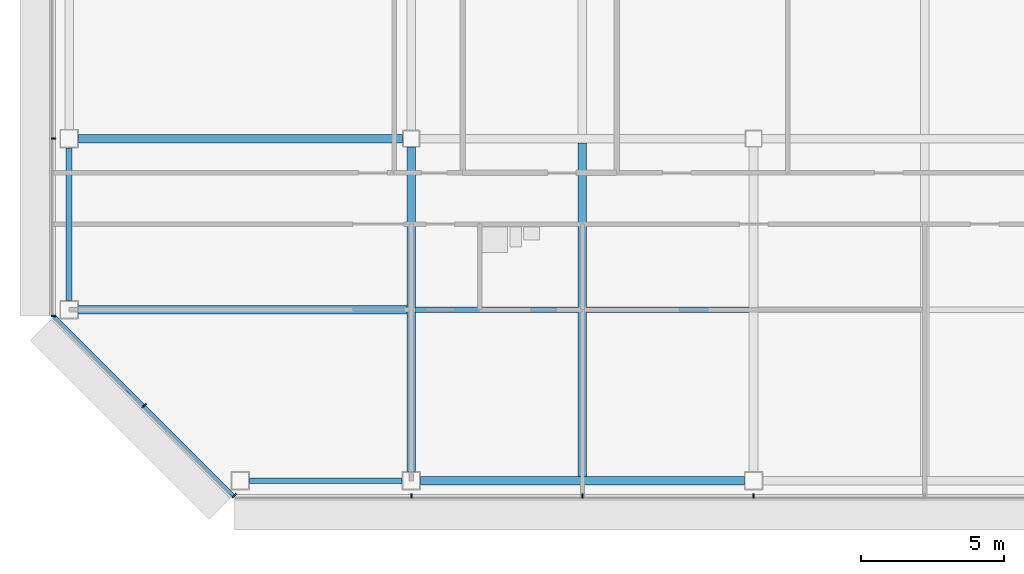
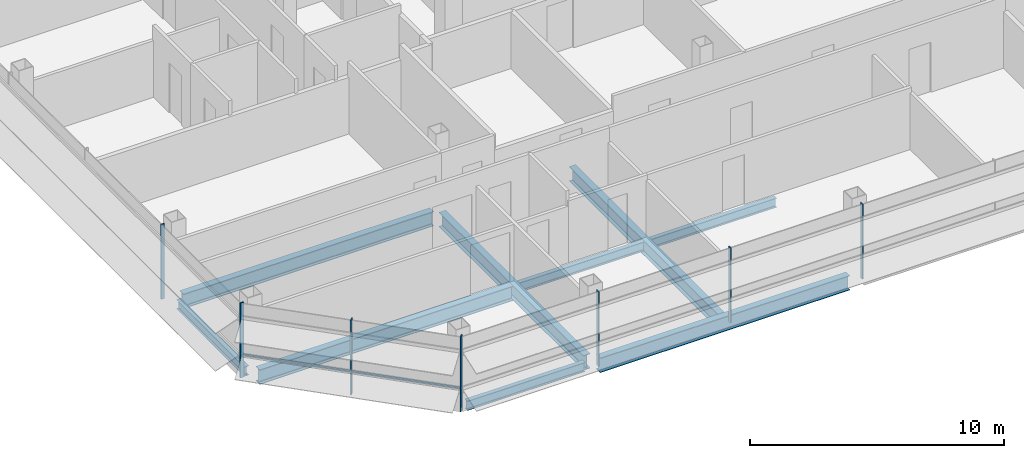
# One storey, part 2 of 26: 9 beams, 8 members, 3 elements without a shape of their own.
"""IFC4 building model written with IfcOpenShell, lengths in metres."""

from ifc_helpers import new_model, si_unit, direction, frame, origin, origin_2d, place, context, subcontext, project, spatial, rectangle, i_section, extrude, material, material_profile, profile_set, type_object, element, aggregate, save


model = new_model("IFC4")

# Units and contexts
model_context = context("Model", 3, precision=1e-05, world=origin(), true_north=direction((0.0, 1.0)))
body_context = subcontext(model_context, "Body", "Model", "MODEL_VIEW")
ifc_project = project(units=[si_unit("LENGTHUNIT", "METRE"), si_unit("AREAUNIT", "SQUARE_METRE"), si_unit("VOLUMEUNIT", "CUBIC_METRE"), si_unit("PLANEANGLEUNIT", "RADIAN"), si_unit("MASSUNIT", "GRAM", prefix="KILO")], contexts=[model_context])

# Site, building, storey
site_placement = place(None, origin())
site = spatial("IfcSite", under=ifc_project, at=site_placement, CompositionType="ELEMENT")
building_placement = place(site_placement, origin())
building = spatial("IfcBuilding", under=site, at=building_placement, Name="Sorahane Residences", CompositionType="ELEMENT")
storey_placement = place(building_placement, frame((0.0, 0.0, 219.0)))
storey = spatial("IfcBuildingStorey", under=building, at=storey_placement, Name="L51", CompositionType="ELEMENT", Elevation=219.0)

# Curtain wall, members
ifc_material_1 = material(Name="Dark low-e glass and black anodised aluminium", Category="aluminium")
curtain_wall_type_1 = type_object("IfcCurtainWallType", Name="Curtain wall CW-1 Typical unitised wall", PredefinedType="NOTDEFINED", material=ifc_material_1)
curtain_wall_1_placement = place(storey_placement, origin())
curtain_wall_1 = element("IfcCurtainWall", 1, at=curtain_wall_1_placement, inside=storey, type_object=curtain_wall_type_1, Name="CW-1 curtain wall L51 S1", PredefinedType="NOTDEFINED")
ifc_material_2 = material(Name="Black anodised aluminium", Category="aluminium")
ifc_material_profile_1 = material_profile(ifc_material_2, rectangle(XDim=0.159912109375, YDim=0.050048828125, at=origin_2d()), Name="Curtain wall mullion CW-1 black anodised aluminium 50x160")
ifc_profile_set_1 = profile_set([ifc_material_profile_1], Name="Black anodised aluminium")
member_type_1 = type_object("IfcMemberType", Name="Curtain wall mullion CW-1 black anodised aluminium 50x160", PredefinedType="MULLION", material=ifc_profile_set_1)
member_1_placement = place(storey_placement, frame((0.0, -0.5400390625, -0.179931640625), z_axis=(0.0, 0.0, 1.0), x_axis=(0.0, -1.0, 0.0)))
member_1 = element("IfcMember", 2, at=member_1_placement, type_object=member_type_1, Name="CW-1 mullion L51 S1.2", PredefinedType="MULLION", context=body_context, shape_type="SweptSolid", body=[
    extrude(rectangle(XDim=0.159912109375, YDim=0.050048828125, at=origin_2d()), origin(), (0.0, 0.0, 1.0), 3.599853515625),
])
member_2_placement = place(storey_placement, frame((6.0, -0.5400390625, -0.179931640625), z_axis=(0.0, 0.0, 1.0), x_axis=(0.0, -1.0, 0.0)))
member_2 = element("IfcMember", 3, at=member_2_placement, type_object=member_type_1, Name="CW-1 mullion L51 S1.3", PredefinedType="MULLION", context=body_context, shape_type="SweptSolid", body=[
    extrude(rectangle(XDim=0.159912109375, YDim=0.050048828125, at=origin_2d()), origin(), (0.0, 0.0, 1.0), 3.599853515625),
])
member_3_placement = place(storey_placement, frame((12.0, -0.5400390625, -0.179931640625), z_axis=(0.0, 0.0, 1.0), x_axis=(0.0, -1.0, 0.0)))
member_3 = element("IfcMember", 4, at=member_3_placement, type_object=member_type_1, Name="CW-1 mullion L51 S1.4", PredefinedType="MULLION", context=body_context, shape_type="SweptSolid", body=[
    extrude(rectangle(XDim=0.159912109375, YDim=0.050048828125, at=origin_2d()), origin(), (0.0, 0.0, 1.0), 3.599853515625),
])
aggregate(curtain_wall_1, [member_1, member_2, member_3])

curtain_wall_2_placement = place(storey_placement, origin())
curtain_wall_2 = element("IfcCurtainWall", 5, at=curtain_wall_2_placement, inside=storey, type_object=curtain_wall_type_1, Name="CW-1 curtain wall L51 W1", PredefinedType="NOTDEFINED")
member_4_placement = place(storey_placement, frame((-12.5400390625, 12.0, -0.179931640625), z_axis=(0.0, 0.0, 1.0), x_axis=(-1.0, 0.0, 0.0)))
member_4 = element("IfcMember", 6, at=member_4_placement, type_object=member_type_1, Name="CW-1 mullion L51 W1.6", PredefinedType="MULLION", context=body_context, shape_type="SweptSolid", body=[
    extrude(rectangle(XDim=0.159912109375, YDim=0.050048828125, at=origin_2d()), origin(), (0.0, 0.0, 1.0), 3.599853515625),
])
member_5_placement = place(storey_placement, frame((-12.5400390625, 5.7763671875, -0.179931640625), z_axis=(0.0, 0.0, 1.0), x_axis=(-1.0, 0.0, 0.0)))
member_5 = element("IfcMember", 7, at=member_5_placement, type_object=member_type_1, Name="CW-1 mullion L51 W1.7", PredefinedType="MULLION", context=body_context, shape_type="SweptSolid", body=[
    extrude(rectangle(XDim=0.159912109375, YDim=0.050048828125, at=origin_2d()), origin(), (0.0, 0.0, 1.0), 3.599853515625),
])
aggregate(curtain_wall_2, [member_4, member_5])

ifc_material_3 = material(Name="Dark low-e glass and black anodised aluminium", Category="aluminium")
curtain_wall_type_2 = type_object("IfcCurtainWallType", Name="Curtain wall CW-2 Chamfer unitised wall", PredefinedType="NOTDEFINED", material=ifc_material_3)
curtain_wall_3_placement = place(storey_placement, origin())
curtain_wall_3 = element("IfcCurtainWall", 8, at=curtain_wall_3_placement, inside=storey, type_object=curtain_wall_type_2, Name="CW-2 curtain wall L51 SW1", PredefinedType="NOTDEFINED")
ifc_material_4 = material(Name="Black anodised aluminium", Category="aluminium")
ifc_material_profile_2 = material_profile(ifc_material_4, rectangle(XDim=0.199951171875, YDim=0.050048828125, at=origin_2d()), Name="Curtain wall mullion CW-2 black anodised aluminium 50x200")
ifc_profile_set_2 = profile_set([ifc_material_profile_2], Name="Black anodised aluminium")
member_type_2 = type_object("IfcMemberType", Name="Curtain wall mullion CW-2 black anodised aluminium 50x200", PredefinedType="MULLION", material=ifc_profile_set_2)
member_6_placement = place(storey_placement, frame((-9.36767578125, 2.63232421875, -0.179931640625), z_axis=(0.0, 0.0, 1.0), x_axis=(-0.707106781187, -0.707106781187, 0.0)))
member_6 = element("IfcMember", 9, at=member_6_placement, type_object=member_type_2, Name="CW-2 mullion L51 SW1.2", PredefinedType="MULLION", context=body_context, shape_type="SweptSolid", body=[
    extrude(rectangle(XDim=0.199951171875, YDim=0.050048828125, at=origin_2d()), origin(), (0.0, 0.0, 1.0), 3.599853515625),
])
member_7_placement = place(storey_placement, frame((-6.209716796875, -0.525634765625, -0.179931640625), z_axis=(0.0, 0.0, 1.0), x_axis=(-0.707106781187, -0.707106781187, 0.0)))
member_7 = element("IfcMember", 10, at=member_7_placement, type_object=member_type_2, Name="CW-2 mullion L51 SW1.3", PredefinedType="MULLION", context=body_context, shape_type="SweptSolid", body=[
    extrude(rectangle(XDim=0.199951171875, YDim=0.050048828125, at=origin_2d()), origin(), (0.0, 0.0, 1.0), 3.599853515625),
])
ifc_material_5 = material(Name="Black anodised aluminium", Category="aluminium")
ifc_material_profile_3 = material_profile(ifc_material_5, rectangle(XDim=0.10009765625, YDim=0.06005859375, at=origin_2d()), Name="Curtain wall transom CW-2 black anodised aluminium 60x100")
ifc_profile_set_3 = profile_set([ifc_material_profile_3], Name="Black anodised aluminium")
member_type_3 = type_object("IfcMemberType", Name="Curtain wall transom CW-2 black anodised aluminium 60x100", PredefinedType="USERDEFINED", material=ifc_profile_set_3)
member_8_placement = place(storey_placement, frame((-12.51513671875, 5.765625, 0.89990234375), z_axis=(0.707106781187, -0.707106781187, 0.0), x_axis=(0.707106781187, 0.707106781187, 0.0)))
member_8 = element("IfcMember", 11, at=member_8_placement, type_object=member_type_3, Name="CW-2 transom L51 SW1", ObjectType="TRANSOM", PredefinedType="USERDEFINED", context=body_context, shape_type="SweptSolid", body=[
    extrude(rectangle(XDim=0.10009765625, YDim=0.06005859375, at=origin_2d()), origin(), (0.0, 0.0, 1.0), 8.88232421875),
])
aggregate(curtain_wall_3, [member_6, member_7, member_8])

# Beams
ifc_material_6 = material(Name="Steel Q355B", Category="steel")
ifc_material_profile_4 = material_profile(ifc_material_6, i_section(OverallWidth=0.199951171875, OverallDepth=0.449951171875, WebThickness=0.009033203125, FlangeThickness=0.013916015625, FilletRadius=0.02001953125, at=origin_2d()), Name="HN 450x200x9x14")
ifc_profile_set_4 = profile_set([ifc_material_profile_4], Name="Steel Q355B")
beam_type_1 = type_object("IfcBeamType", Name="Steel floor beam HN 450x200x9x14 Q355B", PredefinedType="BEAM", material=ifc_profile_set_4)
for number, where, z_axis, x_axis, name in (
    (12, (-5.675048828125, 0.0, -0.405029296875), (1.0, 0.0, 0.0), (0.0, 1.0, 0.0), "Beam L51 000"),
    (13, (-12.0, 6.324951171875, -0.405029296875), (0.0, 1.0, 0.0), (-1.0, 0.0, 0.0), "Beam L51 020"),
):
    element("IfcBeam", number, at=place(storey_placement, frame(where, z_axis=z_axis, x_axis=x_axis)), inside=storey, type_object=beam_type_1, Name=name, PredefinedType="BEAM", context=body_context, shape_type="SweptSolid", body=[
        extrude(i_section(OverallWidth=0.199951171875, OverallDepth=0.449951171875, WebThickness=0.009033203125, FlangeThickness=0.013916015625, FilletRadius=0.02001953125, at=origin_2d()), origin(), (0.0, 0.0, 1.0), 5.35009765625),
    ])
for number, where, z_axis, x_axis, name in (
    (14, (0.14990234375, 6.0, -0.405029296875), (1.0, 0.0, 0.0), (0.0, 1.0, 0.0), "Beam L51 069"),
    (15, (6.14990234375, 6.0, -0.405029296875), (1.0, 0.0, 0.0), (0.0, 1.0, 0.0), "Beam L51 070"),
):
    element("IfcBeam", number, at=place(storey_placement, frame(where, z_axis=z_axis, x_axis=x_axis)), inside=storey, type_object=beam_type_1, Name=name, PredefinedType="BEAM", context=body_context, shape_type="SweptSolid", body=[
        extrude(i_section(OverallWidth=0.199951171875, OverallDepth=0.449951171875, WebThickness=0.009033203125, FlangeThickness=0.013916015625, FilletRadius=0.02001953125, at=origin_2d()), origin(), (0.0, 0.0, 1.0), 5.7001953125),
    ])
ifc_material_7 = material(Name="Steel Q355B", Category="steel")
ifc_material_profile_5 = material_profile(ifc_material_7, i_section(OverallWidth=0.300048828125, OverallDepth=0.699951171875, WebThickness=0.012939453125, FlangeThickness=0.02392578125, FilletRadius=0.028076171875, at=origin_2d()), Name="HN 700x300x13x24")
ifc_profile_set_5 = profile_set([ifc_material_profile_5], Name="Steel Q355B")
beam_type_2 = type_object("IfcBeamType", Name="Steel floor beam HN 700x300x13x24 Q355B", PredefinedType="BEAM", material=ifc_profile_set_5)
beam_1_placement = place(storey_placement, frame((0.324951171875, 0.0, -0.530029296875), z_axis=(1.0, 0.0, 0.0), x_axis=(0.0, 1.0, 0.0)))
element("IfcBeam", 16, at=beam_1_placement, inside=storey, type_object=beam_type_2, Name="Beam L51 001", PredefinedType="BEAM", context=body_context, shape_type="SweptSolid", body=[
    extrude(i_section(OverallWidth=0.300048828125, OverallDepth=0.699951171875, WebThickness=0.012939453125, FlangeThickness=0.02392578125, FilletRadius=0.028076171875, at=origin_2d()), origin(), (0.0, 0.0, 1.0), 11.35009765625),
])
for number, where, z_axis, x_axis, name in (
    (17, (-11.675048828125, 12.0, -0.530029296875), (1.0, 0.0, 0.0), (0.0, 1.0, 0.0), "Beam L51 005"),
    (18, (0.0, 0.324951171875, -0.530029296875), (0.0, 1.0, 0.0), (-1.0, 0.0, 0.0), "Beam L51 024"),
):
    element("IfcBeam", number, at=place(storey_placement, frame(where, z_axis=z_axis, x_axis=x_axis)), inside=storey, type_object=beam_type_2, Name=name, PredefinedType="BEAM", context=body_context, shape_type="SweptSolid", body=[
        extrude(i_section(OverallWidth=0.300048828125, OverallDepth=0.699951171875, WebThickness=0.012939453125, FlangeThickness=0.02392578125, FilletRadius=0.028076171875, at=origin_2d()), origin(), (0.0, 0.0, 1.0), 11.375),
    ])
beam_2_placement = place(storey_placement, frame((6.0, 0.14990234375, -0.530029296875), z_axis=(0.0, 1.0, 0.0), x_axis=(-1.0, 0.0, 0.0)))
element("IfcBeam", 19, at=beam_2_placement, inside=storey, type_object=beam_type_2, Name="Beam L51 028", PredefinedType="BEAM", context=body_context, shape_type="SweptSolid", body=[
    extrude(i_section(OverallWidth=0.300048828125, OverallDepth=0.699951171875, WebThickness=0.012939453125, FlangeThickness=0.02392578125, FilletRadius=0.028076171875, at=origin_2d()), origin(), (0.0, 0.0, 1.0), 11.7001953125),
])
beam_3_placement = place(storey_placement, frame((-11.675048828125, 6.0, -0.530029296875), z_axis=(1.0, 0.0, 0.0), x_axis=(0.0, 1.0, 0.0)))
element("IfcBeam", 20, at=beam_3_placement, inside=storey, type_object=beam_type_2, Name="Beam L51 068", PredefinedType="BEAM", context=body_context, shape_type="SweptSolid", body=[
    extrude(i_section(OverallWidth=0.300048828125, OverallDepth=0.699951171875, WebThickness=0.012939453125, FlangeThickness=0.02392578125, FilletRadius=0.028076171875, at=origin_2d()), origin(), (0.0, 0.0, 1.0), 11.525146484375),
])

save(model, "model.ifc")
